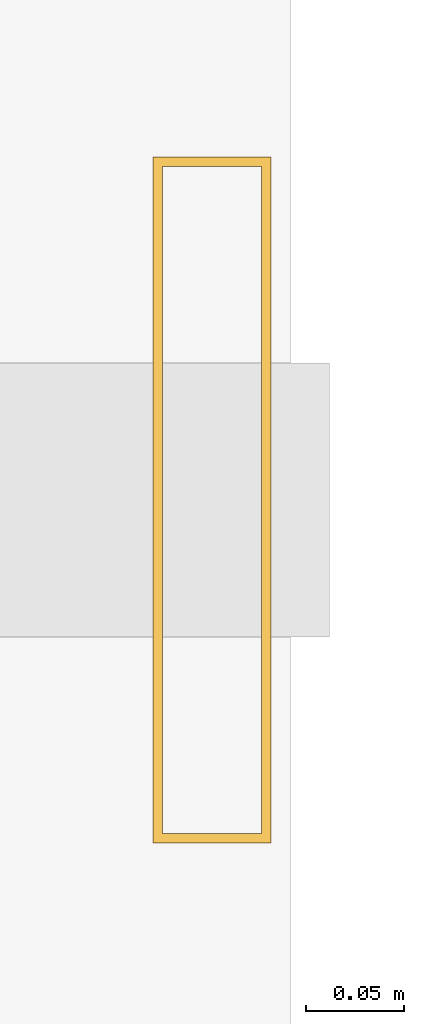
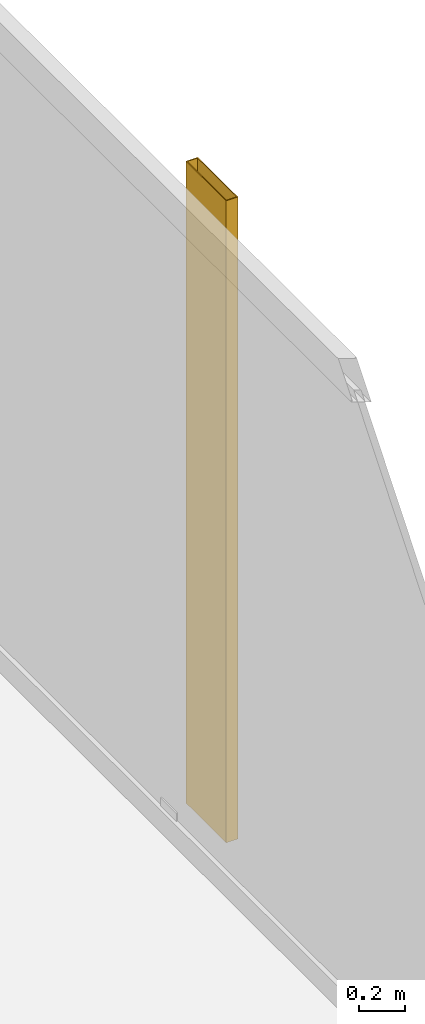
# One storey, part 26 of 26: 1 shading device.
"""IFC4 building model written with IfcOpenShell, lengths in metres."""

from ifc_helpers import new_model, si_unit, direction, frame, origin, origin_2d, place, context, subcontext, project, spatial, hollow_rectangle, extrude, material, material_profile, profile_set, type_object, element, save


model = new_model("IFC4")

# Units and contexts
model_context = context("Model", 3, precision=1e-05, world=origin(), true_north=direction((0.0, 1.0)))
body_context = subcontext(model_context, "Body", "Model", "MODEL_VIEW")
ifc_project = project(units=[si_unit("LENGTHUNIT", "METRE"), si_unit("AREAUNIT", "SQUARE_METRE"), si_unit("VOLUMEUNIT", "CUBIC_METRE"), si_unit("PLANEANGLEUNIT", "RADIAN"), si_unit("MASSUNIT", "GRAM", prefix="KILO")], contexts=[model_context])

# Site, building, storey
site_placement = place(None, origin())
site = spatial("IfcSite", under=ifc_project, at=site_placement, CompositionType="ELEMENT")
building_placement = place(site_placement, origin())
building = spatial("IfcBuilding", under=site, at=building_placement, Name="Kolvaren Waterfront Exchange", CompositionType="ELEMENT")
storey_placement = place(building_placement, frame((0.0, 0.0, 195.60009765625)))
storey = spatial("IfcBuildingStorey", under=building, at=storey_placement, Name="L50", CompositionType="ELEMENT", Elevation=195.60009765625)

# Shading device
ifc_material = material(Name="Anodised bronze aluminium 6063-T6", Category="aluminium")
ifc_material_profile = material_profile(ifc_material, hollow_rectangle(XDim=0.06005859375, YDim=0.35009765625, WallThickness=0.0048828125, at=origin_2d()), Name="BRZ-FIN-350x60x5")
ifc_profile_set = profile_set([ifc_material_profile], Name="Anodised bronze aluminium 6063-T6")
shading_device_type = type_object("IfcShadingDeviceType", Name="ARC-FIN-350", PredefinedType="USERDEFINED", material=ifc_profile_set)
shading_device_placement = place(storey_placement, frame((22.56005859375, 38.39990234375, 0.0), z_axis=(0.0, 0.0, 1.0), x_axis=(1.0, 0.0, 0.0)))
element("IfcShadingDevice", 1, at=shading_device_placement, inside=storey, type_object=shading_device_type, Name="L50 anodised bronze solar shading fin FIN-L50-E3", ObjectType="SOLAR FIN", PredefinedType="USERDEFINED", context=body_context, shape_type="SweptSolid", body=[
    extrude(hollow_rectangle(XDim=0.06005859375, YDim=0.35009765625, WallThickness=0.0048828125, at=origin_2d()), origin(), (0.0, 0.0, 1.0), 3.419921875),
])

save(model, "model.ifc")
